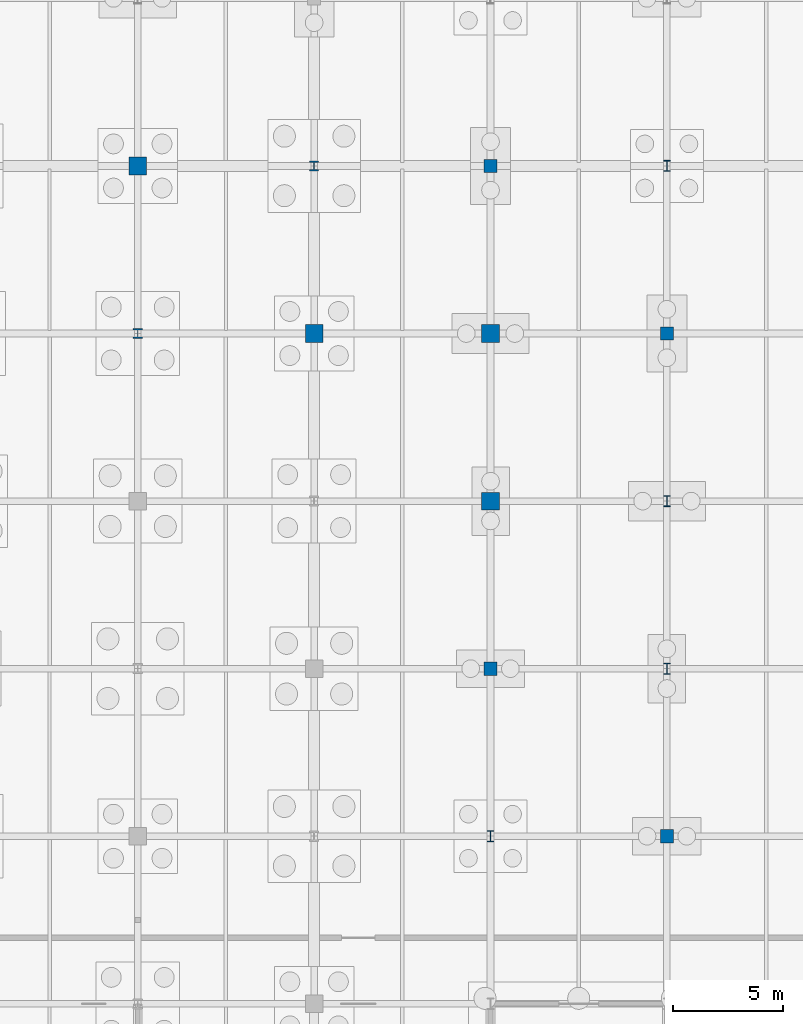
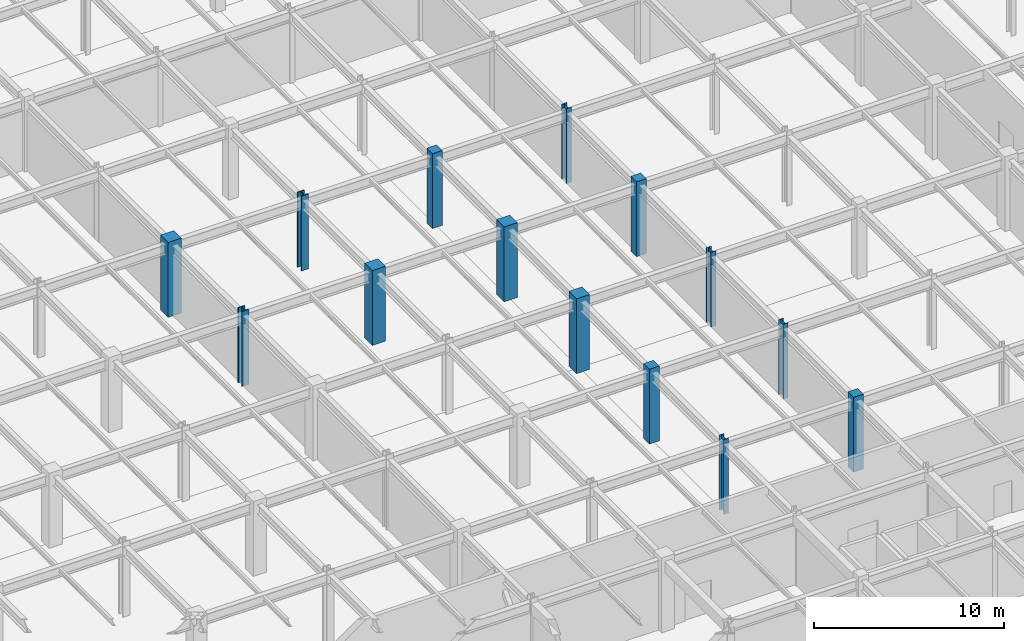
# One storey, part 16 of 53: 14 columns.
"""IFC4 building model written with IfcOpenShell, lengths in metres."""

from ifc_helpers import new_model, si_unit, direction, frame, origin, origin_2d, place, context, subcontext, project, spatial, rectangle, i_section, extrude, material, material_profile, profile_set, type_object, element, save


model = new_model("IFC4")

# Units and contexts
model_context = context("Model", 3, precision=1e-05, world=origin(), true_north=direction((0.0, 1.0)))
body_context = subcontext(model_context, "Body", "Model", "MODEL_VIEW")
ifc_project = project(units=[si_unit("LENGTHUNIT", "METRE"), si_unit("AREAUNIT", "SQUARE_METRE"), si_unit("VOLUMEUNIT", "CUBIC_METRE"), si_unit("PLANEANGLEUNIT", "RADIAN"), si_unit("MASSUNIT", "GRAM", prefix="KILO")], contexts=[model_context])

# Site, building, storey
site_placement = place(None, origin())
site = spatial("IfcSite", under=ifc_project, at=site_placement, CompositionType="ELEMENT")
building_placement = place(site_placement, origin())
building = spatial("IfcBuilding", under=site, at=building_placement, Name="Shalkamar Park Central Library", CompositionType="ELEMENT")
storey_placement = place(building_placement, frame((0.0, 0.0, -4.800048828125)))
storey = spatial("IfcBuildingStorey", under=building, at=storey_placement, Name="B1", CompositionType="ELEMENT", Elevation=-4.800048828125)

# Columns
ifc_material_1 = material(Name="Concrete C40/50", Category="concrete")
ifc_material_profile_1 = material_profile(ifc_material_1, rectangle(XDim=0.60009765625, YDim=0.60009765625, at=origin_2d()), Name="RC 600x600")
ifc_profile_set_1 = profile_set([ifc_material_profile_1], Name="Concrete C40/50")
column_type_1 = type_object("IfcColumnType", Name="Column Concrete RC600", PredefinedType="COLUMN", material=ifc_profile_set_1)
for number, where, z_axis, x_axis, name in (
    (1, (229.0, 270.39990234375, 0.0), (0.0, 0.0, 1.0), (1.0, 0.0, 0.0), "Column 15/E (B1)"),
    (2, (229.0, 293.199951171875, 0.0), (0.0, 0.0, 1.0), (1.0, 0.0, 0.0), "Column 15/H (B1)"),
    (3, (237.0, 262.800048828125, 0.0), (0.0, 0.0, 1.0), (1.0, 0.0, 0.0), "Column 16/D (B1)"),
    (4, (237.0, 285.60009765625, 0.0), (0.0, 0.0, 1.0), (1.0, 0.0, 0.0), "Column 16/G (B1)"),
):
    element("IfcColumn", number, at=place(storey_placement, frame(where, z_axis=z_axis, x_axis=x_axis)), inside=storey, type_object=column_type_1, Name=name, PredefinedType="COLUMN", context=body_context, shape_type="SweptSolid", body=[
        extrude(rectangle(XDim=0.60009765625, YDim=0.60009765625, at=origin_2d()), origin(), (0.0, 0.0, 1.0), 4.800048828125),
    ])
ifc_material_profile_2 = material_profile(ifc_material_1, rectangle(XDim=0.800048828125, YDim=0.800048828125, at=origin_2d()), Name="RC 800x800")
ifc_profile_set_2 = profile_set([ifc_material_profile_2], Name="Concrete C40/50")
column_type_2 = type_object("IfcColumnType", Name="Column Concrete RC800", PredefinedType="COLUMN", material=ifc_profile_set_2)
for number, where, z_axis, x_axis, name in (
    (5, (213.0, 293.199951171875, 0.0), (0.0, 0.0, 1.0), (1.0, 0.0, 0.0), "Column 13/H (B1)"),
    (6, (221.0, 285.60009765625, 0.0), (0.0, 0.0, 1.0), (1.0, 0.0, 0.0), "Column 14/G (B1)"),
    (7, (229.0, 278.0, 0.0), (0.0, 0.0, 1.0), (1.0, 0.0, 0.0), "Column 15/F (B1)"),
    (8, (229.0, 285.60009765625, 0.0), (0.0, 0.0, 1.0), (1.0, 0.0, 0.0), "Column 15/G (B1)"),
):
    element("IfcColumn", number, at=place(storey_placement, frame(where, z_axis=z_axis, x_axis=x_axis)), inside=storey, type_object=column_type_2, Name=name, PredefinedType="COLUMN", context=body_context, shape_type="SweptSolid", body=[
        extrude(rectangle(XDim=0.800048828125, YDim=0.800048828125, at=origin_2d()), origin(), (0.0, 0.0, 1.0), 4.800048828125),
    ])
ifc_material_2 = material(Name="Steel S355", Category="steel")
ifc_material_profile_3 = material_profile(ifc_material_2, i_section(OverallWidth=0.41796875, OverallDepth=0.455078125, WebThickness=0.0419921875, FlangeThickness=0.067626953125, FilletRadius=0.014892578125, at=origin_2d()), Name="HD 400x551")
ifc_profile_set_3 = profile_set([ifc_material_profile_3], Name="Steel S355")
column_type_3 = type_object("IfcColumnType", Name="Column Steel HD400x551", PredefinedType="COLUMN", material=ifc_profile_set_3)
for number, where, z_axis, x_axis, name in (
    (9, (213.0, 285.60009765625, 0.0), (0.0, 0.0, 1.0), (1.0, 0.0, 0.0), "Column 13/G (B1)"),
    (10, (221.0, 293.199951171875, 0.0), (0.0, 0.0, 1.0), (1.0, 0.0, 0.0), "Column 14/H (B1)"),
):
    element("IfcColumn", number, at=place(storey_placement, frame(where, z_axis=z_axis, x_axis=x_axis)), inside=storey, type_object=column_type_3, Name=name, PredefinedType="COLUMN", context=body_context, shape_type="SweptSolid", body=[
        extrude(i_section(OverallWidth=0.41796875, OverallDepth=0.455078125, WebThickness=0.0419921875, FlangeThickness=0.067626953125, FilletRadius=0.014892578125, at=origin_2d()), origin(), (0.0, 0.0, 1.0), 4.800048828125),
    ])
ifc_material_profile_4 = material_profile(ifc_material_2, i_section(OverallWidth=0.300048828125, OverallDepth=0.5, WebThickness=0.014404296875, FlangeThickness=0.028076171875, FilletRadius=0.027099609375, at=origin_2d()), Name="HEB 500")
ifc_profile_set_4 = profile_set([ifc_material_profile_4], Name="Steel S355")
column_type_4 = type_object("IfcColumnType", Name="Column Steel HEB500", PredefinedType="COLUMN", material=ifc_profile_set_4)
for number, where, z_axis, x_axis, name in (
    (11, (229.0, 262.800048828125, 0.0), (0.0, 0.0, 1.0), (1.0, 0.0, 0.0), "Column 15/D (B1)"),
    (12, (237.0, 270.39990234375, 0.0), (0.0, 0.0, 1.0), (1.0, 0.0, 0.0), "Column 16/E (B1)"),
    (13, (237.0, 278.0, 0.0), (0.0, 0.0, 1.0), (1.0, 0.0, 0.0), "Column 16/F (B1)"),
    (14, (237.0, 293.199951171875, 0.0), (0.0, 0.0, 1.0), (1.0, 0.0, 0.0), "Column 16/H (B1)"),
):
    element("IfcColumn", number, at=place(storey_placement, frame(where, z_axis=z_axis, x_axis=x_axis)), inside=storey, type_object=column_type_4, Name=name, PredefinedType="COLUMN", context=body_context, shape_type="SweptSolid", body=[
        extrude(i_section(OverallWidth=0.300048828125, OverallDepth=0.5, WebThickness=0.014404296875, FlangeThickness=0.028076171875, FilletRadius=0.027099609375, at=origin_2d()), origin(), (0.0, 0.0, 1.0), 4.800048828125),
    ])

save(model, "model.ifc")
